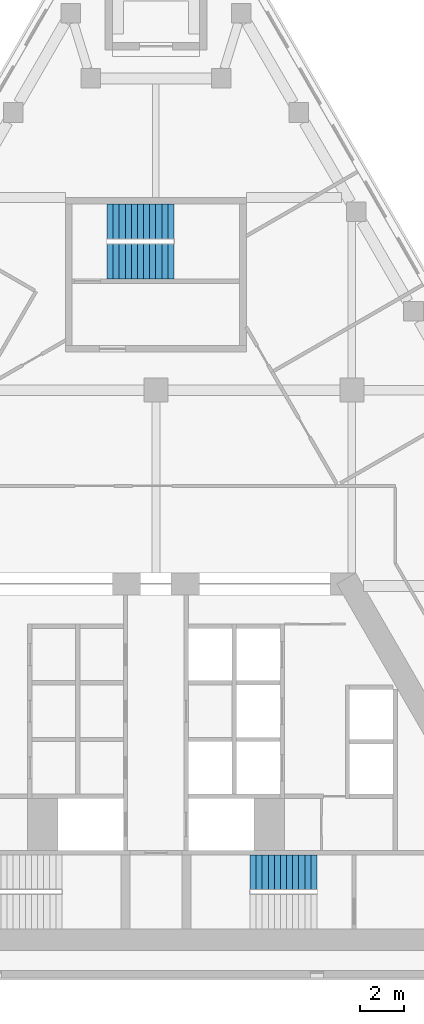
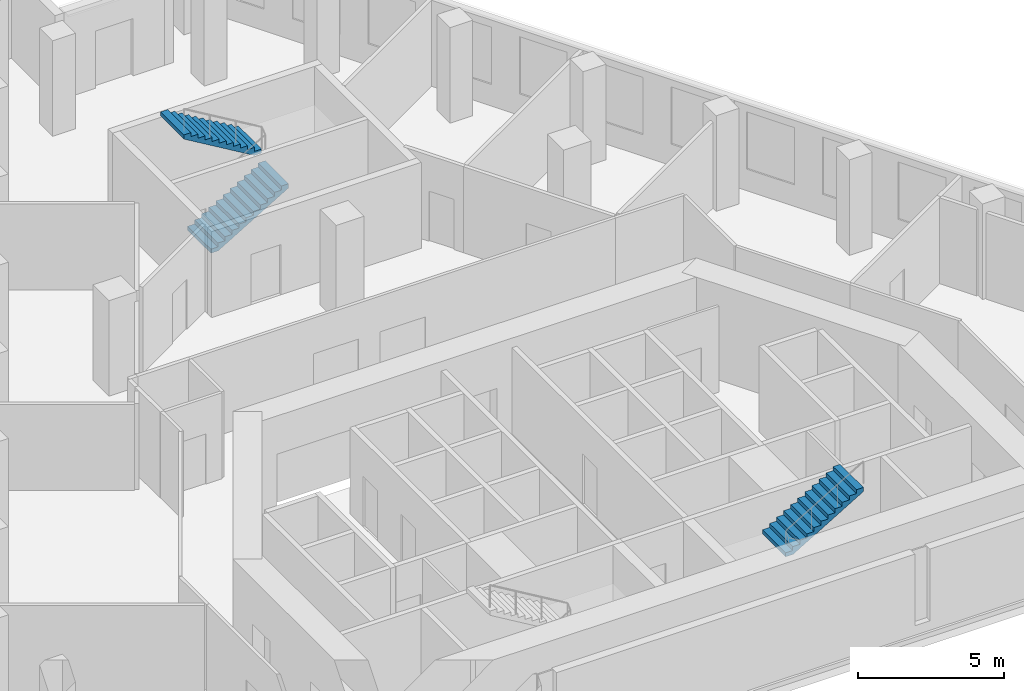
# One storey, part 7 of 8: 3 stair flights, 2 elements without a shape of their own.
"""IFC4 building model written with IfcOpenShell, lengths in metres."""

from ifc_helpers import new_model, si_unit, direction, frame, origin, place, context, subcontext, project, spatial, polyline, outline, extrude, material, type_object, element, aggregate, save


model = new_model("IFC4")

# Units and contexts
model_context = context("Model", 3, precision=1e-05, world=origin(), true_north=direction((0.0, 1.0)))
body_context = subcontext(model_context, "Body", "Model", "MODEL_VIEW")
ifc_project = project(units=[si_unit("LENGTHUNIT", "METRE"), si_unit("AREAUNIT", "SQUARE_METRE"), si_unit("VOLUMEUNIT", "CUBIC_METRE"), si_unit("PLANEANGLEUNIT", "RADIAN"), si_unit("MASSUNIT", "GRAM", prefix="KILO")], contexts=[model_context])

# Site, building, storey
site_placement = place(None, origin())
site = spatial("IfcSite", under=ifc_project, at=site_placement, CompositionType="ELEMENT")
building_placement = place(site_placement, origin())
building = spatial("IfcBuilding", under=site, at=building_placement, Name="Fogline Exchange Tower", CompositionType="ELEMENT")
storey_placement = place(building_placement, frame((0.0, 0.0, 243.5)))
storey = spatial("IfcBuildingStorey", under=building, at=storey_placement, Name="L55", CompositionType="ELEMENT", Elevation=243.5)

# Stair, stair flight
ifc_material = material(Name="Concrete C40", Category="concrete")
stair_type = type_object("IfcStairType", Name="STR24-1667", PredefinedType="HALF_TURN_STAIR", material=ifc_material)
stair_1_placement = place(storey_placement, origin())
stair_1 = element("IfcStair", 1, at=stair_1_placement, inside=storey, type_object=stair_type, Name="Stair ST2", PredefinedType="HALF_TURN_STAIR")
stair_flight_type = type_object("IfcStairFlightType", Name="SF12-1667", PredefinedType="STRAIGHT", material=ifc_material)
stair_flight_1_placement = place(storey_placement, frame((4.320068359375, 4.85009765625, 2.0), z_axis=(0.0, 0.0, 1.0), x_axis=(1.0, 0.0, 0.0)))
stair_flight_1 = element("IfcStairFlight", 2, at=stair_flight_1_placement, type_object=stair_flight_type, Name="ST2 flight 2", NumberOfRisers=12, NumberOfTreads=11, PredefinedType="STRAIGHT", RiserHeight=0.166666667, TreadLength=0.28, context=body_context, shape_type="SweptSolid", body=[
    extrude(outline(polyline([(0.0, 0.0), (0.0, 0.166748046875), (0.280029296875, 0.166748046875), (0.280029296875, 0.333251953125), (0.56005859375, 0.333251953125), (0.56005859375, 0.5), (0.840087890625, 0.5), (0.840087890625, 0.666748046875), (1.1201171875, 0.666748046875), (1.1201171875, 0.833251953125), (1.39990234375, 0.833251953125), (1.39990234375, 1.0), (1.679931640625, 1.0), (1.679931640625, 1.166748046875), (1.9599609375, 1.166748046875), (1.9599609375, 1.333251953125), (2.239990234375, 1.333251953125), (2.239990234375, 1.5), (2.52001953125, 1.5), (2.52001953125, 1.666748046875), (2.800048828125, 1.666748046875), (2.800048828125, 1.833251953125), (3.080078125, 1.833251953125), (3.080078125, 2.0), (3.080078125, 1.658935546875), (0.29296875, 0.0), (0.0, 0.0)])), frame((0.0, 0.800048828125, 0.0), z_axis=(0.0, -1.0, 0.0), x_axis=(1.0, 0.0, 0.0)), (0.0, 0.0, 1.0), 1.60009765625),
])
aggregate(stair_1, [stair_flight_1])

# Stair, stair flights
stair_2_placement = place(storey_placement, origin())
stair_2 = element("IfcStair", 3, at=stair_2_placement, inside=storey, type_object=stair_type, Name="Stair ST3", PredefinedType="HALF_TURN_STAIR")
stair_flight_2_placement = place(storey_placement, frame((-2.25, 32.906982421875, 0.0), z_axis=(0.0, 0.0, 1.0), x_axis=(1.0, 0.0, 0.0)))
stair_flight_2 = element("IfcStairFlight", 4, at=stair_flight_2_placement, type_object=stair_flight_type, Name="ST3 flight 1", NumberOfRisers=12, NumberOfTreads=11, PredefinedType="STRAIGHT", RiserHeight=0.166666667, TreadLength=0.28, context=body_context, shape_type="SweptSolid", body=[
    extrude(outline(polyline([(0.0, 0.0), (0.0, 0.166748046875), (0.280029296875, 0.166748046875), (0.280029296875, 0.333251953125), (0.56005859375, 0.333251953125), (0.56005859375, 0.5), (0.840087890625, 0.5), (0.840087890625, 0.666748046875), (1.1201171875, 0.666748046875), (1.1201171875, 0.833251953125), (1.39990234375, 0.833251953125), (1.39990234375, 1.0), (1.679931640625, 1.0), (1.679931640625, 1.166748046875), (1.9599609375, 1.166748046875), (1.9599609375, 1.333251953125), (2.239990234375, 1.333251953125), (2.239990234375, 1.5), (2.52001953125, 1.5), (2.52001953125, 1.666748046875), (2.800048828125, 1.666748046875), (2.800048828125, 1.833251953125), (3.080078125, 1.833251953125), (3.080078125, 2.0), (3.080078125, 1.658935546875), (0.29296875, 0.0), (0.0, 0.0)])), frame((0.0, 0.800048828125, 0.0), z_axis=(0.0, -1.0, 0.0), x_axis=(1.0, 0.0, 0.0)), (0.0, 0.0, 1.0), 1.60009765625),
])
stair_flight_3_placement = place(storey_placement, frame((0.830078125, 34.757080078125, 2.0), z_axis=(0.0, 0.0, 1.0), x_axis=(-1.0, 0.0, 0.0)))
stair_flight_3 = element("IfcStairFlight", 5, at=stair_flight_3_placement, type_object=stair_flight_type, Name="ST3 flight 2", NumberOfRisers=12, NumberOfTreads=11, PredefinedType="STRAIGHT", RiserHeight=0.166666667, TreadLength=0.28, context=body_context, shape_type="SweptSolid", body=[
    extrude(outline(polyline([(0.0, 0.0), (0.0, 0.166748046875), (0.280029296875, 0.166748046875), (0.280029296875, 0.333251953125), (0.56005859375, 0.333251953125), (0.56005859375, 0.5), (0.840087890625, 0.5), (0.840087890625, 0.666748046875), (1.1201171875, 0.666748046875), (1.1201171875, 0.833251953125), (1.39990234375, 0.833251953125), (1.39990234375, 1.0), (1.679931640625, 1.0), (1.679931640625, 1.166748046875), (1.9599609375, 1.166748046875), (1.9599609375, 1.333251953125), (2.239990234375, 1.333251953125), (2.239990234375, 1.5), (2.52001953125, 1.5), (2.52001953125, 1.666748046875), (2.800048828125, 1.666748046875), (2.800048828125, 1.833251953125), (3.080078125, 1.833251953125), (3.080078125, 2.0), (3.080078125, 1.658935546875), (0.29296875, 0.0), (0.0, 0.0)])), frame((0.0, 0.800048828125, 0.0), z_axis=(0.0, -1.0, 0.0), x_axis=(1.0, 0.0, 0.0)), (0.0, 0.0, 1.0), 1.60009765625),
])
aggregate(stair_2, [stair_flight_2, stair_flight_3])

save(model, "model.ifc")
